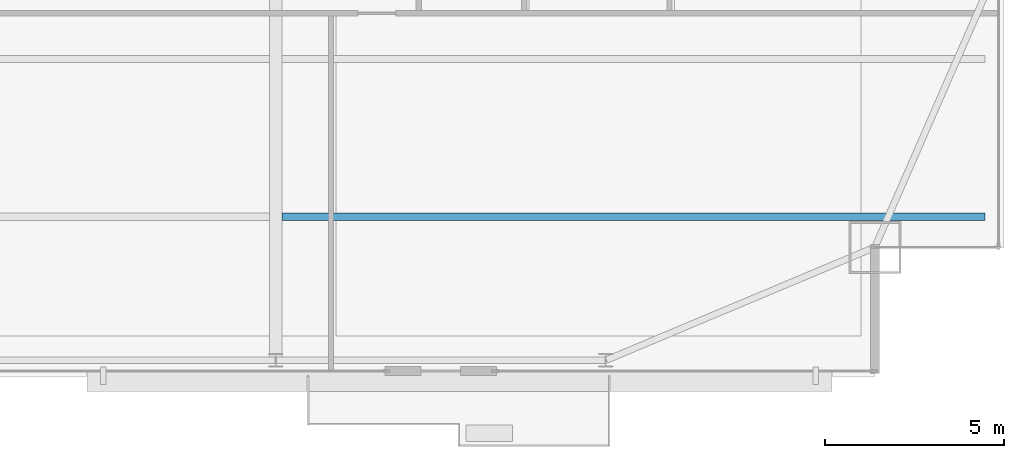
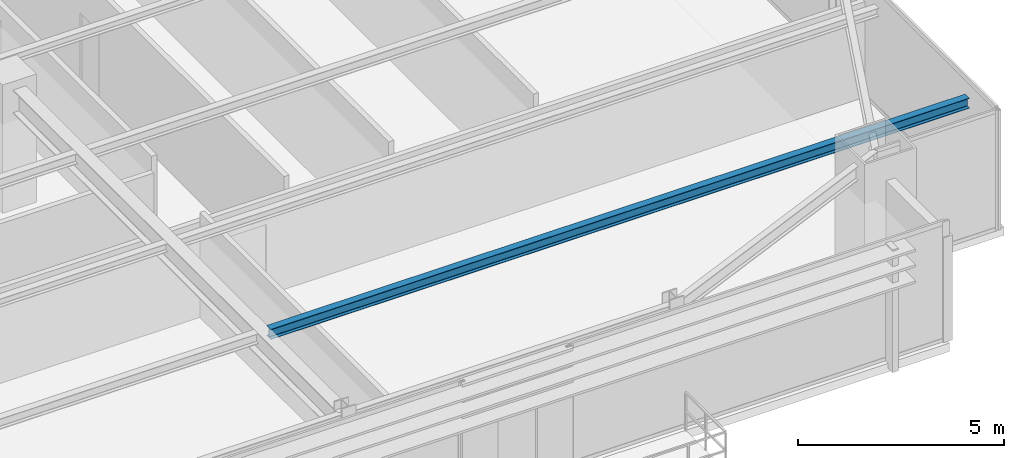
# One storey, part 15 of 32: 1 beam.
"""IFC4 building model written with IfcOpenShell, lengths in metres."""

import ifcopenshell
import ifcopenshell.guid

model = None  # the IFC model being written
_history = None  # IfcOwnerHistory: only IFC2X3 demands one
_inside = {}  # id of a spatial element -> (the spatial element, [elements in it])
_under = {}  # id of a project, library or spatial element -> (it, [spatial elements below it])
_declared = {}  # id of a project -> (the project, [libraries it declares])
_typed = {}  # id of a type object -> (the type object, [elements of that type])
_made_of = {}  # id of a material, layer set ... -> (it, [elements and type objects made of it])


def new_model(schema):
    """Start an empty IFC model of exactly this schema.

    Asked for "IFC4X3", IfcOpenShell would pick the latest addendum, in which some entities
    have other attributes; the version numbers below select the first issue.
    IFC2X3 requires an IfcOwnerHistory on every rooted entity: one is made here for all.
    """
    global model, _history
    if schema == "IFC4X3":
        model = ifcopenshell.file(schema_version=(4, 3, 0, 0))
    else:
        model = ifcopenshell.file(schema=schema)
    _inside.clear()
    _under.clear()
    _declared.clear()
    _typed.clear()
    _made_of.clear()
    _history = None
    if model.schema == "IFC2X3":
        org = make("IfcOrganization", Name="unknown")
        user = make(
            "IfcPersonAndOrganization",
            ThePerson=make("IfcPerson", FamilyName="unknown"),
            TheOrganization=org,
        )
        app = make(
            "IfcApplication",
            ApplicationDeveloper=org,
            Version="unknown",
            ApplicationFullName="unknown",
            ApplicationIdentifier="unknown",
        )
        _history = make(
            "IfcOwnerHistory",
            OwningUser=user,
            OwningApplication=app,
            ChangeAction="ADDED",
            CreationDate=0,
        )
    return model


def make(cls, **values):
    """One entity of the class cls with the attributes given. An attribute that is None is left unset."""
    return model.create_entity(
        cls, **{name: value for name, value in values.items() if value is not None}
    )


def rooted(cls, **values):
    """An entity with a GlobalId (a new one), such as an element, a storey or a relation."""
    return make(cls, GlobalId=ifcopenshell.guid.new(), OwnerHistory=_history, **values)


def si_unit(unit_type, name, prefix=None):
    """IfcSIUnit, for example si_unit("LENGTHUNIT", "METRE", prefix="MILLI")."""
    return make("IfcSIUnit", UnitType=unit_type, Prefix=prefix, Name=name)


def assignment(units):
    """IfcUnitAssignment: the units of a project."""
    return None if units is None else make("IfcUnitAssignment", Units=units)


def point(xyz):
    """IfcCartesianPoint."""
    return None if xyz is None else make("IfcCartesianPoint", Coordinates=xyz)


def direction(xyz):
    """IfcDirection."""
    return None if xyz is None else make("IfcDirection", DirectionRatios=xyz)


def frame(location, z_axis=None, x_axis=None):
    """IfcAxis2Placement3D, a coordinate frame: its origin and axes. An axis left out is left unset."""
    return make(
        "IfcAxis2Placement3D",
        Location=point(location),
        Axis=direction(z_axis),
        RefDirection=direction(x_axis),
    )


def frame_2d(location, x_axis=None):
    """IfcAxis2Placement2D, a coordinate frame in the plane: its origin and x axis."""
    return make(
        "IfcAxis2Placement2D", Location=point(location), RefDirection=direction(x_axis)
    )


def origin():
    """The frame at (0, 0, 0) with its axes left unset."""
    return frame((0.0, 0.0, 0.0))


def origin_2d():
    """The frame at (0, 0) in the plane with its x axis left unset."""
    return frame_2d((0.0, 0.0))


def place(relative_to, where):
    """IfcLocalPlacement: puts the frame where relative to a parent placement (None: the world)."""
    return make(
        "IfcLocalPlacement", PlacementRelTo=relative_to, RelativePlacement=where
    )


def context(
    kind, dimensions, precision=None, world=None, true_north=None, identifier=None
):
    """IfcGeometricRepresentationContext, for example the 3D "Model" context."""
    return make(
        "IfcGeometricRepresentationContext",
        ContextIdentifier=identifier,
        ContextType=kind,
        CoordinateSpaceDimension=dimensions,
        Precision=precision,
        WorldCoordinateSystem=world,
        TrueNorth=true_north,
    )


def subcontext(parent, identifier, kind, view, scale=None):
    """IfcGeometricRepresentationSubContext, for example "Body" below "Model"."""
    return make(
        "IfcGeometricRepresentationSubContext",
        ContextIdentifier=identifier,
        ContextType=kind,
        ParentContext=parent,
        TargetScale=scale,
        TargetView=view,
    )


def project(units=None, contexts=None):
    """IfcProject with its units and contexts."""
    return rooted(
        "IfcProject",
        Name="project",
        RepresentationContexts=contexts,
        UnitsInContext=assignment(units),
    )


def spatial(cls, under=None, at=None, **own):
    """A site, building, storey or space (cls), placed at a placement, below another one or the project."""
    s = rooted(cls, ObjectPlacement=at, **own)
    if under is not None:
        _under.setdefault(under.id(), (under, []))[1].append(s)
    return s


def profile(cls, at=None, kind="AREA", **sizes):
    """A parametric profile (cls). Its sizes go by their IFC names, for example OverallWidth=200.0."""
    return make(cls, ProfileType=kind, Position=at, **sizes)


def i_section(**sizes):
    """IfcIShapeProfileDef."""
    return profile("IfcIShapeProfileDef", **sizes)


def extrude(swept, where, along, depth):
    """IfcExtrudedAreaSolid: the profile swept, set in the frame where, extruded along a direction by depth."""
    return make(
        "IfcExtrudedAreaSolid",
        SweptArea=swept,
        Position=where,
        ExtrudedDirection=direction(along),
        Depth=depth,
    )


def shape(context_of_items, identifier, shape_type, items):
    """IfcShapeRepresentation: the items that make up one representation, for example the "Body"."""
    return make(
        "IfcShapeRepresentation",
        ContextOfItems=context_of_items,
        RepresentationIdentifier=identifier,
        RepresentationType=shape_type,
        Items=items,
    )


def source(mapping_origin, context_of_items, identifier, shape_type, items):
    """IfcRepresentationMap: a shape defined once, which mapped items show again and again."""
    return make(
        "IfcRepresentationMap",
        MappingOrigin=mapping_origin,
        MappedRepresentation=shape(context_of_items, identifier, shape_type, items),
    )


def transform(
    local_origin,
    x_axis=None,
    y_axis=None,
    z_axis=None,
    scale=None,
    scale2=None,
    scale3=None,
    uniform=True,
):
    """IfcCartesianTransformationOperator3D, or its non-uniform kind. x_axis, y_axis, z_axis: its Axis1, 2, 3."""
    if uniform:
        return make(
            "IfcCartesianTransformationOperator3D",
            Axis1=direction(x_axis),
            Axis2=direction(y_axis),
            LocalOrigin=point(local_origin),
            Scale=scale,
            Axis3=direction(z_axis),
        )
    return make(
        "IfcCartesianTransformationOperator3DnonUniform",
        Axis1=direction(x_axis),
        Axis2=direction(y_axis),
        LocalOrigin=point(local_origin),
        Scale=scale,
        Axis3=direction(z_axis),
        Scale2=scale2,
        Scale3=scale3,
    )


def mapped(mapping_source, mapping_target):
    """IfcMappedItem: shows the shape of a source again, moved by a transform."""
    return make(
        "IfcMappedItem", MappingSource=mapping_source, MappingTarget=mapping_target
    )


def material(Name=None, Category=None):
    """IfcMaterial."""
    return make("IfcMaterial", Name=Name, Category=Category)


def material_profile(
    of_material, cross_section, Name=None, Category=None, Priority=None
):
    """IfcMaterialProfile: a cross section and its material."""
    return make(
        "IfcMaterialProfile",
        Name=Name,
        Material=of_material,
        Profile=cross_section,
        Priority=Priority,
        Category=Category,
    )


def profile_set(profiles, Name=None, composite=None):
    """IfcMaterialProfileSet."""
    return make(
        "IfcMaterialProfileSet",
        Name=Name,
        MaterialProfiles=profiles,
        CompositeProfile=composite,
    )


def made_of(thing, what):
    """Note that an element or type object is made of a material, layer set ...; save() writes the relation."""
    if what is not None:
        _made_of.setdefault(what.id(), (what, []))[1].append(thing)
    return thing


def type_object(cls, material=None, **own):
    """A type object (cls), such as IfcWallType, which elements share."""
    return made_of(rooted(cls, **own), material)


def type_shapes(of_type, sources):
    """Give a type object the sources (RepresentationMaps) that its elements show as mapped items."""
    of_type.RepresentationMaps = sources


def element(
    cls,
    number,
    at=None,
    inside=None,
    cuts=None,
    type_object=None,
    material=None,
    context=None,
    identifier="Body",
    shape_type=None,
    held_by="IfcProductDefinitionShape",
    body=None,
    shapes=None,
    **own,
):
    """One element of the class cls, such as IfcWall. Its Tag is "e" and its number.

    at: its placement. inside: the storey or other place that contains it. cuts: it is an
    opening in that element (IfcRelVoidsElement). A single representation is given by context,
    identifier, shape_type and body (its items); several are given by shapes. held_by: the class
    of the entity that holds the representations. save() writes the other relations.
    """
    e = rooted(cls, Tag="e%d" % number, ObjectPlacement=at, **own)
    if body is not None:
        shapes = [shape(context, identifier, shape_type, body)]
    if shapes is not None:
        e.Representation = make(held_by, Representations=shapes)
    if inside is not None:
        _inside.setdefault(inside.id(), (inside, []))[1].append(e)
    if cuts is not None:
        rooted(
            "IfcRelVoidsElement", RelatingBuildingElement=cuts, RelatedOpeningElement=e
        )
    if type_object is not None:
        _typed.setdefault(type_object.id(), (type_object, []))[1].append(e)
    return made_of(e, material)


def aggregate(whole, parts):
    """IfcRelAggregates: a whole, such as a stair, and the parts it consists of."""
    return rooted("IfcRelAggregates", RelatingObject=whole, RelatedObjects=parts)


def save(model, path):
    """Write the relations noted so far, then the file.

    IfcRelAggregates (storeys below a building ...), IfcRelContainedInSpatialStructure (elements
    in a storey), IfcRelDefinesByType, IfcRelAssociatesMaterial and IfcRelDeclares: one each for
    every whole, place, type object, material and project.
    """
    for whole, parts in _under.values():
        aggregate(whole, parts)
    for where, things in _inside.values():
        rooted(
            "IfcRelContainedInSpatialStructure",
            RelatedElements=things,
            RelatingStructure=where,
        )
    for kind, things in _typed.values():
        rooted("IfcRelDefinesByType", RelatedObjects=things, RelatingType=kind)
    for what, things in _made_of.values():
        rooted("IfcRelAssociatesMaterial", RelatedObjects=things, RelatingMaterial=what)
    for by, libraries in _declared.values():
        rooted("IfcRelDeclares", RelatingContext=by, RelatedDefinitions=libraries)
    model.write(path)


model = new_model("IFC4")

# Units and contexts
model_context = context("Model", 3, precision=1e-05, world=origin(), true_north=direction((0.0, 1.0)))
body_context = subcontext(model_context, "Body", "Model", "MODEL_VIEW")
ifc_project = project(units=[si_unit("LENGTHUNIT", "METRE"), si_unit("AREAUNIT", "SQUARE_METRE"), si_unit("VOLUMEUNIT", "CUBIC_METRE"), si_unit("PLANEANGLEUNIT", "RADIAN"), si_unit("MASSUNIT", "GRAM", prefix="KILO")], contexts=[model_context])

# Site, building, storey
site_placement = place(None, origin())
site = spatial("IfcSite", under=ifc_project, at=site_placement, CompositionType="ELEMENT")
building_placement = place(site_placement, origin())
building = spatial("IfcBuilding", under=site, at=building_placement, Name="Varnel Quay Broadcast Tower", CompositionType="ELEMENT")
storey_placement = place(building_placement, frame((0.0, 0.0, 133.39990234375)))
storey = spatial("IfcBuildingStorey", under=building, at=storey_placement, Name="L32", CompositionType="ELEMENT", Elevation=133.39990234375)

# Beam
ifc_material = material(Name="Structural Steel CSA G40.21 350W", Category="steel")
ifc_material_profile = material_profile(ifc_material, i_section(OverallWidth=0.202880859375, OverallDepth=0.302978515625, WebThickness=0.007568359375, FlangeThickness=0.01318359375, FilletRadius=0.011962890625, at=origin_2d()), Name="W310X60")
ifc_profile_set = profile_set([ifc_material_profile], Name="Structural Steel CSA G40.21 350W")
beam_type = type_object("IfcBeamType", Name="Beam_W310X60", PredefinedType="JOIST", material=ifc_profile_set)
shared_shape = source(origin(), body_context, "Body", "SweptSolid", [
    extrude(i_section(OverallWidth=0.202880859375, OverallDepth=0.302978515625, WebThickness=0.007568359375, FlangeThickness=0.01318359375, FilletRadius=0.011962890625, at=origin_2d()), origin(), (0.0, 0.0, 1.0), 19.592041015625),
])
type_shapes(beam_type, [shared_shape])
beam_placement = place(storey_placement, frame((43.37255859375, 8.64990234375, 3.398681640625), z_axis=(1.0, 0.0, 0.0), x_axis=(0.0, 1.0, 0.0)))
element("IfcBeam", 1, at=beam_placement, inside=storey, type_object=beam_type, Name="L32 East Floor Joist 1", PredefinedType="JOIST", context=body_context, shape_type="MappedRepresentation", body=[
    mapped(shared_shape, transform((0.0, 0.0, 0.0), x_axis=(1.0, 0.0, 0.0), y_axis=(0.0, 1.0, 0.0), z_axis=(0.0, 0.0, 1.0), scale=1.0)),
])

save(model, "model.ifc")
